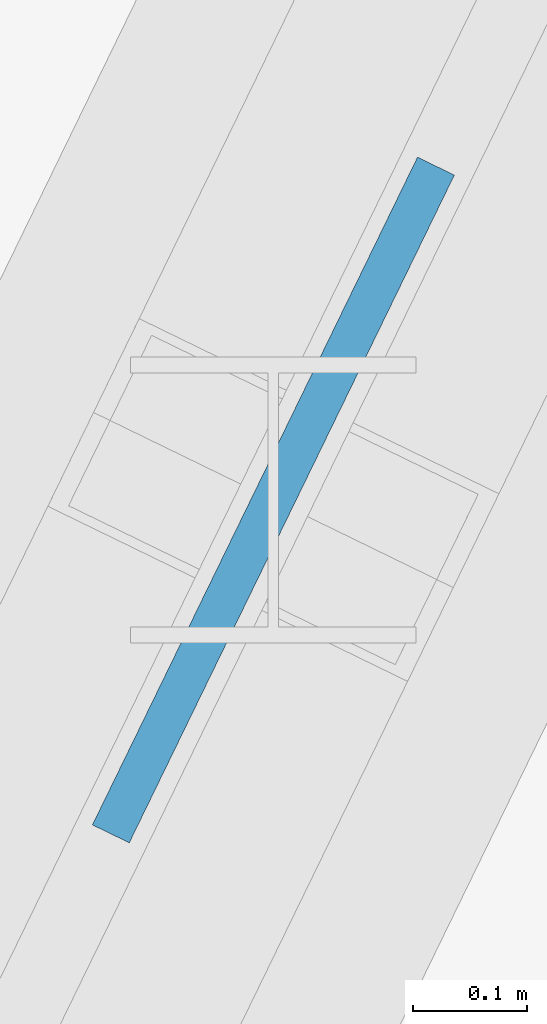
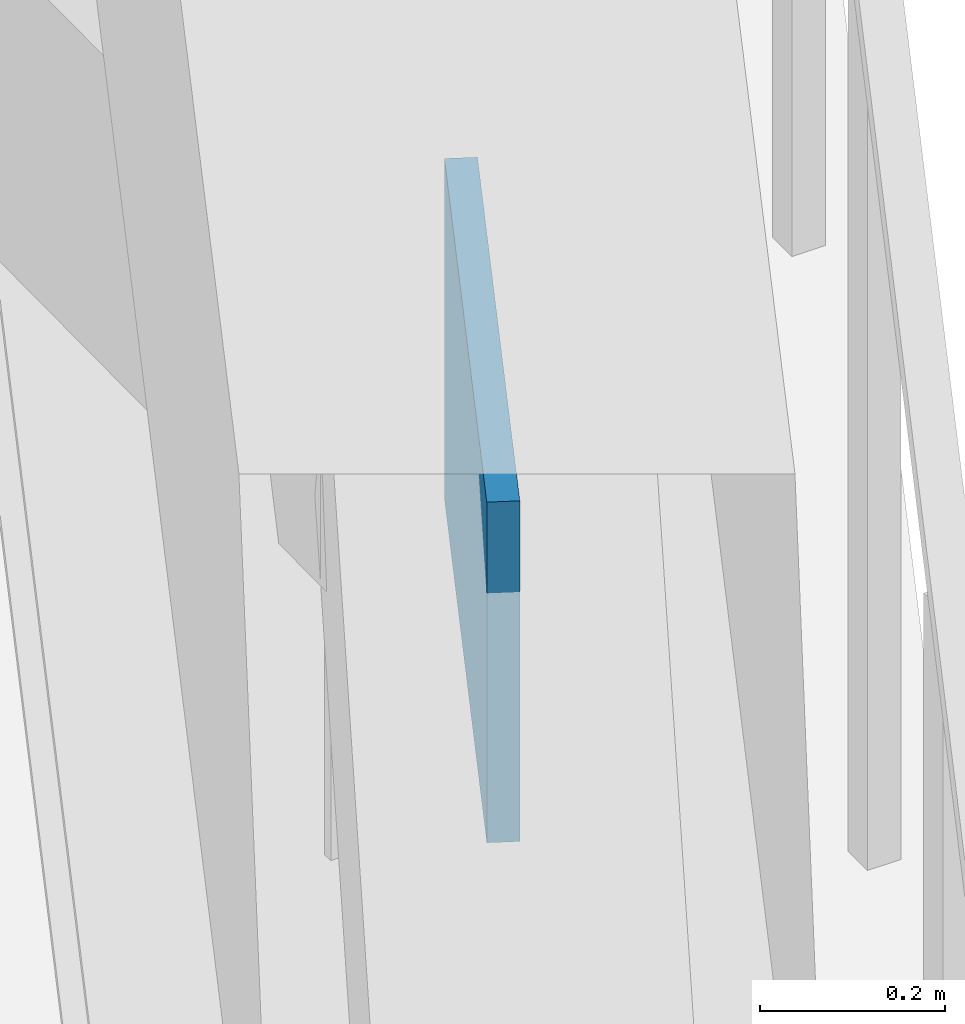
# One storey, part 14 of 23: 1 plate.
"""IFC4 building model written with IfcOpenShell, lengths in metres."""

from ifc_helpers import new_model, si_unit, direction, frame, origin, origin_2d, place, context, subcontext, project, spatial, rectangle, extrude, source, transform, mapped, material, layer, layer_set, type_object, element, save


model = new_model("IFC4")

# Units and contexts
model_context = context("Model", 3, precision=1e-05, world=origin(), true_north=direction((0.0, 1.0)))
body_context = subcontext(model_context, "Body", "Model", "MODEL_VIEW")
ifc_project = project(units=[si_unit("LENGTHUNIT", "METRE"), si_unit("AREAUNIT", "SQUARE_METRE"), si_unit("VOLUMEUNIT", "CUBIC_METRE"), si_unit("PLANEANGLEUNIT", "RADIAN"), si_unit("MASSUNIT", "GRAM", prefix="KILO")], contexts=[model_context])

# Site, building, storey
site_placement = place(None, origin())
site = spatial("IfcSite", under=ifc_project, at=site_placement, CompositionType="ELEMENT")
building_placement = place(site_placement, origin())
building = spatial("IfcBuilding", under=site, at=building_placement, Name="Liaohun Quay Tower", CompositionType="ELEMENT")
storey_placement = place(building_placement, frame((0.0, 0.0, 139.5)))
storey = spatial("IfcBuildingStorey", under=building, at=storey_placement, Name="L36", CompositionType="ELEMENT", Elevation=139.5)

# Plate
ifc_material = material(Name="Steel Q420D outrigger node gusset plate", Category="steel")
ifc_layer = layer(ifc_material, 0.0400390625, Name="Steel Q420D outrigger node gusset plate", Category="steel")
ifc_layer_set = layer_set([ifc_layer], Name="Steel Q420D outrigger node gusset plate")
plate_type = type_object("IfcPlateType", Name="PLT-GUS-OUT", PredefinedType="USERDEFINED", material=ifc_layer_set)
shared_shape = source(origin(), body_context, "Body", "SweptSolid", [
    extrude(rectangle(XDim=0.64990234375, YDim=0.035888671875, at=origin_2d()), origin(), (0.0, 0.0, 1.0), 0.449951171875),
])
plate_placement = place(storey_placement, frame((89.864013671875, 55.64208984375, 3.69482421875), z_axis=(0.0, 0.0, 1.0), x_axis=(-0.437743563395, -0.899099868038, 0.0)))
element("IfcPlate", 1, at=plate_placement, inside=storey, type_object=plate_type, Name="L36 Belt Truss Node Gusset Plate GP1-B05", ObjectType="GUSSET PLATE", PredefinedType="USERDEFINED", context=body_context, shape_type="MappedRepresentation", body=[
    mapped(shared_shape, transform((0.0, 0.0, 0.0), x_axis=(1.0, 0.0, 0.0), y_axis=(0.0, 1.0, 0.0), z_axis=(0.0, 0.0, 1.0), scale=1.0)),
])

save(model, "model.ifc")
